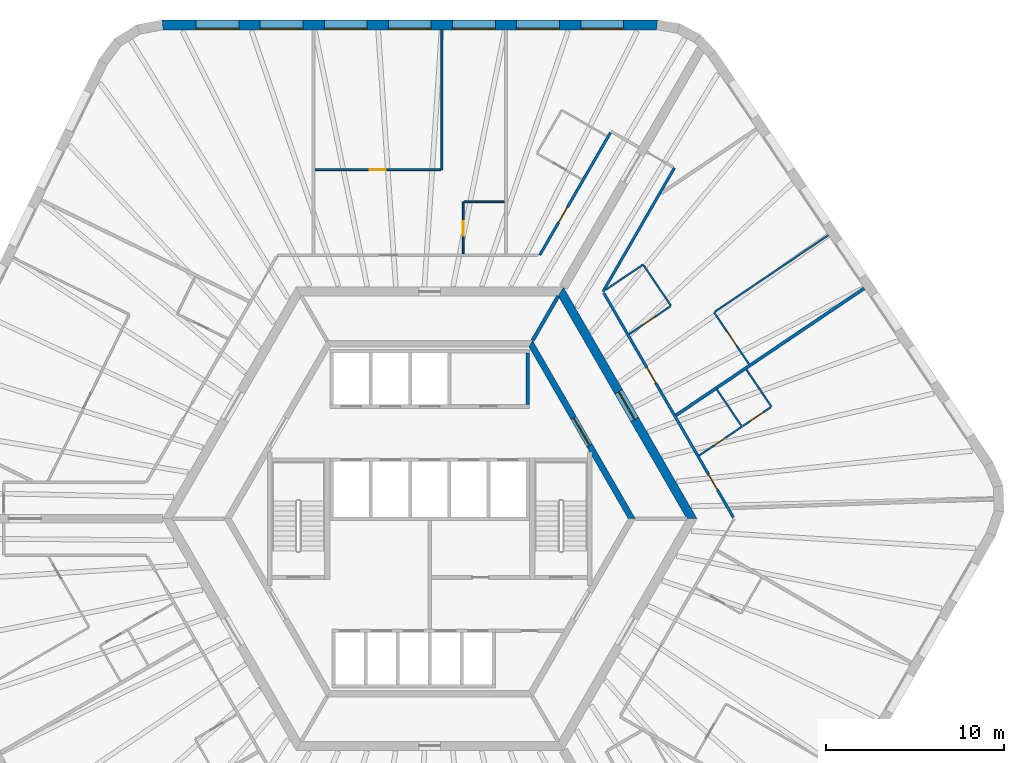
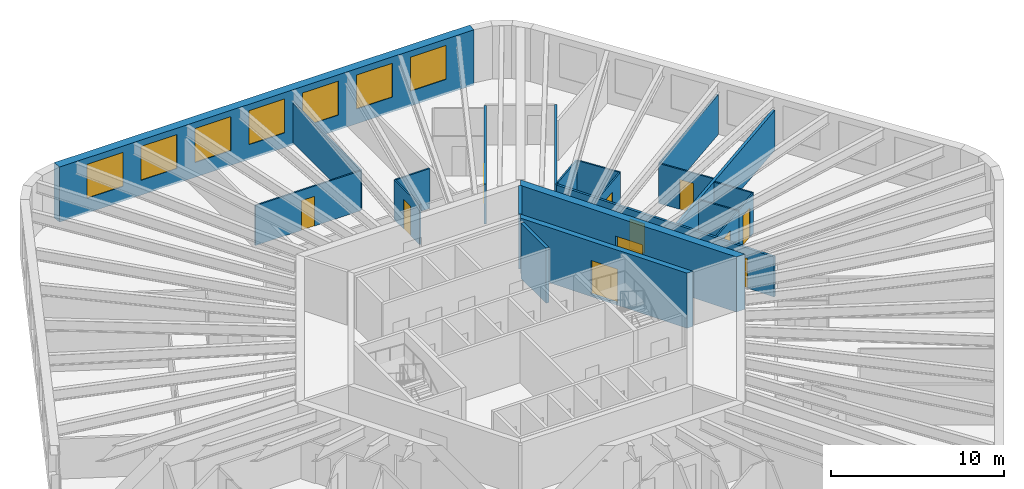
# One storey, part 8 of 10: 22 walls, 11 doors, 7 windows, 18 openings.
"""IFC4 building model written with IfcOpenShell, lengths in metres."""

from ifc_helpers import new_model, si_unit, direction, frame, frame_2d, origin, place, context, subcontext, project, spatial, polyline, rectangle, outline, extrude, material, layer, layer_set, type_object, element, fill, save


model = new_model("IFC4")

# Units and contexts
model_context = context("Model", 3, precision=1e-05, world=origin(), true_north=direction((0.0, 1.0)))
body_context = subcontext(model_context, "Body", "Model", "MODEL_VIEW")
ifc_project = project(units=[si_unit("LENGTHUNIT", "METRE"), si_unit("AREAUNIT", "SQUARE_METRE"), si_unit("VOLUMEUNIT", "CUBIC_METRE"), si_unit("PLANEANGLEUNIT", "RADIAN"), si_unit("MASSUNIT", "GRAM", prefix="KILO")], contexts=[model_context])

# Site, building, storey
site_placement = place(None, origin())
site = spatial("IfcSite", under=ifc_project, at=site_placement, CompositionType="ELEMENT")
building_placement = place(site_placement, origin())
building = spatial("IfcBuilding", under=site, at=building_placement, Name="Tarnside Tower", CompositionType="ELEMENT")
storey_placement = place(building_placement, frame((0.0, 0.0, 156.60009765625)))
storey = spatial("IfcBuildingStorey", under=building, at=storey_placement, Name="L36", CompositionType="ELEMENT", Elevation=156.60009765625)

# Wall, opening, door
ifc_material_1 = material(Name="Gypsum board partition on steel studs", Category="steel")
ifc_layer_1 = layer(ifc_material_1, 0.10009765625)
ifc_layer_set_1 = layer_set([ifc_layer_1], Name="Bathroom wall 100")
wall_type_1 = type_object("IfcWallType", Name="Bathroom wall 100", PredefinedType="PARTITIONING", material=ifc_layer_set_1)
wall_1_placement = place(storey_placement, frame((1.882080078125, 14.875, 0.0), z_axis=(0.0, 0.0, 1.0), x_axis=(0.0, 1.0, 0.0)))
wall_1 = element("IfcWall", 1, at=wall_1_placement, inside=storey, type_object=wall_type_1, Name="Bathroom wall 11053", PredefinedType="PARTITIONING", context=body_context, shape_type="SweptSolid", body=[
    extrude(rectangle(XDim=2.925048828125, YDim=0.10009765625, at=frame_2d((1.46240234375, 0.0))), origin(), (0.0, 0.0, 1.0), 2.8232421875),
])
opening_1_placement = place(wall_1_placement, frame((1.02490234375, 0.0, 0.0)))
opening_1 = element("IfcOpeningElement", 2, at=opening_1_placement, cuts=wall_1, Name="Opening D-B1", PredefinedType="OPENING", context=body_context, shape_type="SweptSolid", body=[
    extrude(rectangle(XDim=0.800048828125, YDim=2.10009765625, at=frame_2d((0.39990234375, 1.050048828125))), frame((0.0, 0.06005859375, 0.0), z_axis=(0.0, -1.0, 0.0), x_axis=(1.0, 0.0, 0.0)), (0.0, 0.0, 1.0), 0.1201171875),
])
ifc_material_2 = material(Name="Timber door leaf", Category="wood")
door_type_1 = type_object("IfcDoorType", Name="Bathroom door 800", OperationType="NOTDEFINED", PredefinedType="DOOR", material=ifc_material_2)
door_1_placement = place(opening_1_placement, origin())
door_1 = element("IfcDoor", 3, at=door_1_placement, inside=storey, type_object=door_type_1, Name="Bathroom door 11004", OperationType="SINGLE_SWING_RIGHT", OverallHeight=2.10009765625, OverallWidth=0.800048828125, PredefinedType="DOOR", context=body_context, shape_type="SweptSolid", body=[
    extrude(rectangle(XDim=0.800048828125, YDim=2.10009765625, at=frame_2d((0.39990234375, 1.050048828125))), frame((0.0, 0.02490234375, 0.0), z_axis=(0.0, -1.0, 0.0), x_axis=(1.0, 0.0, 0.0)), (0.0, 0.0, 1.0), 0.050048828125),
])
fill(opening_1, door_1)

# Wall
wall_2_placement = place(storey_placement, frame((1.93212890625, 17.800048828125, 0.0), z_axis=(0.0, 0.0, 1.0), x_axis=(1.0, 0.0, 0.0)))
element("IfcWall", 4, at=wall_2_placement, inside=storey, type_object=wall_type_1, Name="Bathroom wall 11054", PredefinedType="PARTITIONING", context=body_context, shape_type="SweptSolid", body=[
    extrude(rectangle(XDim=2.260009765625, YDim=0.10009765625, at=frame_2d((1.1298828125, 0.0))), origin(), (0.0, 0.0, 1.0), 2.8232421875),
])

# Wall, opening, door
wall_3_placement = place(storey_placement, frame((17.5302734375, 5.16845703125, 0.0), z_axis=(0.0, 0.0, 1.0), x_axis=(-0.829031257997, -0.559202265073, 0.0)))
wall_3 = element("IfcWall", 5, at=wall_3_placement, inside=storey, type_object=wall_type_1, Name="Bathroom wall 11106", PredefinedType="PARTITIONING", context=body_context, shape_type="SweptSolid", body=[
    extrude(rectangle(XDim=2.89794921875, YDim=0.10009765625, at=frame_2d((1.448974609375, 0.0))), origin(), (0.0, 0.0, 1.0), 2.8232421875),
])
opening_2_placement = place(wall_3_placement, frame((1.10009765625, 0.0, 0.0)))
opening_2 = element("IfcOpeningElement", 6, at=opening_2_placement, cuts=wall_3, Name="Opening D-B1", PredefinedType="OPENING", context=body_context, shape_type="SweptSolid", body=[
    extrude(rectangle(XDim=0.800048828125, YDim=2.10009765625, at=frame_2d((0.39990234375, 1.050048828125))), frame((0.0, 0.06005859375, 0.0), z_axis=(0.0, -1.0, 0.0), x_axis=(1.0, 0.0, 0.0)), (0.0, 0.0, 1.0), 0.1201171875),
])
door_2_placement = place(opening_2_placement, origin())
door_2 = element("IfcDoor", 7, at=door_2_placement, inside=storey, type_object=door_type_1, Name="Bathroom door 11032", OperationType="SINGLE_SWING_LEFT", OverallHeight=2.10009765625, OverallWidth=0.800048828125, PredefinedType="DOOR", context=body_context, shape_type="SweptSolid", body=[
    extrude(rectangle(XDim=0.800048828125, YDim=2.10009765625, at=frame_2d((0.39990234375, 1.050048828125))), frame((0.0, 0.02490234375, 0.0), z_axis=(0.0, -1.0, 0.0), x_axis=(1.0, 0.0, 0.0)), (0.0, 0.0, 1.0), 0.050048828125),
])
fill(opening_2, door_2)

# Walls
wall_4_placement = place(storey_placement, frame((17.50244140625, 5.2099609375, 0.0), z_axis=(0.0, 0.0, 1.0), x_axis=(-0.559203533395, 0.829030402481, 0.0)))
element("IfcWall", 8, at=wall_4_placement, inside=storey, type_object=wall_type_1, Name="Bathroom wall 11111", PredefinedType="PARTITIONING", context=body_context, shape_type="SweptSolid", body=[
    extrude(rectangle(XDim=2.460205078125, YDim=0.10009765625, at=frame_2d((1.22998046875, 0.0))), origin(), (0.0, 0.0, 1.0), 2.8232421875),
])
wall_5_placement = place(storey_placement, frame((9.8701171875, 12.845703125, 0.0), z_axis=(0.0, 0.0, 1.0), x_axis=(0.829045266323, 0.559181496821, 0.0)))
element("IfcWall", 9, at=wall_5_placement, inside=storey, type_object=wall_type_1, Name="Bathroom wall 11114", PredefinedType="PARTITIONING", context=body_context, shape_type="SweptSolid", body=[
    extrude(rectangle(XDim=2.547607421875, YDim=0.10009765625, at=frame_2d((1.27392578125, 0.0))), origin(), (0.0, 0.0, 1.0), 2.8232421875),
])
wall_6_placement = place(storey_placement, frame((12.01025390625, 14.228759765625, 0.0), z_axis=(0.0, 0.0, 1.0), x_axis=(0.559158698756, -0.8290606429, 0.0)))
element("IfcWall", 10, at=wall_6_placement, inside=storey, type_object=wall_type_1, Name="Bathroom wall 11115", PredefinedType="PARTITIONING", context=body_context, shape_type="SweptSolid", body=[
    extrude(rectangle(XDim=2.749755859375, YDim=0.10009765625, at=frame_2d((1.375, 0.0))), origin(), (0.0, 0.0, 1.0), 2.8232421875),
])

# Wall, opening, door
wall_7_placement = place(storey_placement, frame((13.50634765625, 11.9208984375, 0.0), z_axis=(0.0, 0.0, 1.0), x_axis=(-0.829048535811, -0.559176649431, 0.0)))
wall_7 = element("IfcWall", 11, at=wall_7_placement, inside=storey, type_object=wall_type_1, Name="Bathroom wall 11116", PredefinedType="PARTITIONING", context=body_context, shape_type="SweptSolid", body=[
    extrude(rectangle(XDim=2.7890625, YDim=0.10009765625, at=frame_2d((1.39453125, 0.0))), origin(), (0.0, 0.0, 1.0), 2.8232421875),
])
opening_3_placement = place(wall_7_placement, frame((1.050048828125, 0.0, 0.0)))
opening_3 = element("IfcOpeningElement", 12, at=opening_3_placement, cuts=wall_7, Name="Opening D-B1", PredefinedType="OPENING", context=body_context, shape_type="SweptSolid", body=[
    extrude(rectangle(XDim=0.800048828125, YDim=2.10009765625, at=frame_2d((0.39990234375, 1.050048828125))), frame((0.0, 0.06005859375, 0.0), z_axis=(0.0, -1.0, 0.0), x_axis=(1.0, 0.0, 0.0)), (0.0, 0.0, 1.0), 0.1201171875),
])
door_3_placement = place(opening_3_placement, origin())
door_3 = element("IfcDoor", 13, at=door_3_placement, inside=storey, type_object=door_type_1, Name="Bathroom door 11035", OperationType="SINGLE_SWING_LEFT", OverallHeight=2.10009765625, OverallWidth=0.800048828125, PredefinedType="DOOR", context=body_context, shape_type="SweptSolid", body=[
    extrude(rectangle(XDim=0.800048828125, YDim=2.10009765625, at=frame_2d((0.39990234375, 1.050048828125))), frame((0.0, 0.02490234375, 0.0), z_axis=(0.0, -1.0, 0.0), x_axis=(1.0, 0.0, 0.0)), (0.0, 0.0, 1.0), 0.050048828125),
])
fill(opening_3, door_3)

ifc_material_3 = material(Name="Concrete C50/60", Category="concrete")
ifc_layer_2 = layer(ifc_material_3, 0.35009765625)
ifc_layer_set_2 = layer_set([ifc_layer_2], Name="Core block wall 350 C50/60")
wall_type_2 = type_object("IfcWallType", Name="Core block wall 350 C50/60", PredefinedType="SHEAR", material=ifc_layer_set_2)
wall_8_placement = place(storey_placement, frame((11.344970703125, 0.0, -0.150146484375), z_axis=(0.0, 0.0, 1.0), x_axis=(-0.499995046907, 0.866028263435, 0.0)))
wall_8 = element("IfcWall", 14, at=wall_8_placement, inside=storey, type_object=wall_type_2, Name="L36 core block wall face 6", PredefinedType="SHEAR", context=body_context, shape_type="SweptSolid", body=[
    extrude(outline(polyline([(-0.10107421875, -0.175048828125), (11.44580078125, -0.175048828125), (11.24365234375, 0.175048828125), (0.10107421875, 0.175048828125), (-0.10107421875, -0.175048828125)])), origin(), (0.0, 0.0, 1.0), 3.900146484375),
])
opening_4_placement = place(wall_8_placement, frame((4.74365234375, 0.0, 0.14990234375)))
opening_4 = element("IfcOpeningElement", 15, at=opening_4_placement, cuts=wall_8, Name="Opening CD-LOB", PredefinedType="OPENING", context=body_context, shape_type="SweptSolid", body=[
    extrude(rectangle(XDim=1.800048828125, YDim=2.39990234375, at=frame_2d((0.89990234375, 1.199951171875))), frame((0.0, 0.18505859375, 0.0), z_axis=(0.0, -1.0, 0.0), x_axis=(1.0, 0.0, 0.0)), (0.0, 0.0, 1.0), 0.3701171875),
])
ifc_material_4 = material(Name="Steel fire door", Category="steel")
door_type_2 = type_object("IfcDoorType", Name="Lobby double door FD30S 1800x2400", OperationType="NOTDEFINED", PredefinedType="DOOR", material=ifc_material_4)
door_4_placement = place(opening_4_placement, origin())
door_4 = element("IfcDoor", 16, at=door_4_placement, inside=storey, type_object=door_type_2, Name="L36 lobby block door P2", OperationType="DOUBLE_DOOR_SINGLE_SWING", OverallHeight=2.39990234375, OverallWidth=1.800048828125, PredefinedType="DOOR", context=body_context, shape_type="SweptSolid", body=[
    extrude(rectangle(XDim=1.800048828125, YDim=2.39990234375, at=frame_2d((0.89990234375, 1.199951171875))), frame((0.0, 0.02490234375, 0.0), z_axis=(0.0, -1.0, 0.0), x_axis=(1.0, 0.0, 0.0)), (0.0, 0.0, 1.0), 0.050048828125),
])
fill(opening_4, door_4)

ifc_material_5 = material(Name="Concrete C70/85", Category="concrete")
ifc_layer_3 = layer(ifc_material_5, 0.5)
ifc_layer_set_3 = layer_set([ifc_layer_3], Name="Core wall Z2 500 C70/85")
wall_type_3 = type_object("IfcWallType", Name="Core wall Z2 500 C70/85", PredefinedType="SHEAR", material=ifc_layer_set_3)
wall_9_placement = place(storey_placement, frame((14.722412109375, 0.0, -0.150146484375), z_axis=(0.0, 0.0, 1.0), x_axis=(-0.50000571537, 0.866022103989, 0.0)))
wall_9 = element("IfcWall", 17, at=wall_9_placement, inside=storey, type_object=wall_type_3, Name="L36 core wall face 6", PredefinedType="SHEAR", context=body_context, shape_type="SweptSolid", body=[
    extrude(outline(polyline([(-0.144287109375, -0.25), (14.86669921875, -0.25), (14.578125, 0.25), (0.144287109375, 0.25), (-0.144287109375, -0.25)])), origin(), (0.0, 0.0, 1.0), 3.900146484375),
])
opening_5_placement = place(wall_9_placement, frame((6.432373046875, 0.0, 0.14990234375)))
opening_5 = element("IfcOpeningElement", 18, at=opening_5_placement, cuts=wall_9, Name="Opening CD-LOB", PredefinedType="OPENING", context=body_context, shape_type="SweptSolid", body=[
    extrude(rectangle(XDim=1.800048828125, YDim=2.39990234375, at=frame_2d((0.89990234375, 1.199951171875))), frame((0.0, 0.260009765625, 0.0), z_axis=(0.0, -1.0, 0.0), x_axis=(1.0, 0.0, 0.0)), (0.0, 0.0, 1.0), 0.52001953125),
])
door_5_placement = place(opening_5_placement, origin())
door_5 = element("IfcDoor", 19, at=door_5_placement, inside=storey, type_object=door_type_2, Name="L36 core door P2", OperationType="DOUBLE_DOOR_SINGLE_SWING", OverallHeight=2.39990234375, OverallWidth=1.800048828125, PredefinedType="DOOR", context=body_context, shape_type="SweptSolid", body=[
    extrude(rectangle(XDim=1.800048828125, YDim=2.39990234375, at=frame_2d((0.89990234375, 1.199951171875))), frame((0.0, 0.02490234375, 0.0), z_axis=(0.0, -1.0, 0.0), x_axis=(1.0, 0.0, 0.0)), (0.0, 0.0, 1.0), 0.050048828125),
])
fill(opening_5, door_5)

ifc_layer_4 = layer(ifc_material_1, 0.14990234375)
ifc_layer_set_4 = layer_set([ifc_layer_4], Name="Corridor wall 150 EI 60")
wall_type_4 = type_object("IfcWallType", Name="Corridor wall 150 EI 60", PredefinedType="PARTITIONING", material=ifc_layer_set_4)
wall_10_placement = place(storey_placement, frame((10.148681640625, 21.677978515625, 0.0), z_axis=(0.0, 0.0, 1.0), x_axis=(-0.499997422768, -0.866026891745, 0.0)))
wall_10 = element("IfcWall", 20, at=wall_10_placement, inside=storey, type_object=wall_type_4, Name="Corridor wall 11001", PredefinedType="PARTITIONING", context=body_context, shape_type="SweptSolid", body=[
    extrude(rectangle(XDim=7.94189453125, YDim=0.14990234375, at=frame_2d((3.970947265625, 0.0))), origin(), (0.0, 0.0, 1.0), 2.8232421875),
])
opening_6_placement = place(wall_10_placement, frame((4.83349609375, 0.0, 0.0)))
opening_6 = element("IfcOpeningElement", 21, at=opening_6_placement, cuts=wall_10, Name="Opening D-E1", PredefinedType="OPENING", context=body_context, shape_type="SweptSolid", body=[
    extrude(rectangle(XDim=1.0, YDim=2.10009765625, at=frame_2d((0.5, 1.050048828125))), frame((0.0, 0.0849609375, 0.0), z_axis=(0.0, -1.0, 0.0), x_axis=(1.0, 0.0, 0.0)), (0.0, 0.0, 1.0), 0.169921875),
])
door_type_3 = type_object("IfcDoorType", Name="Unit entrance door 1000 FD30S", OperationType="NOTDEFINED", PredefinedType="DOOR", material=ifc_material_2)
door_6_placement = place(opening_6_placement, origin())
door_6 = element("IfcDoor", 22, at=door_6_placement, inside=storey, type_object=door_type_3, Name="Unit door 11001", OperationType="SINGLE_SWING_LEFT", OverallHeight=2.10009765625, OverallWidth=1.0, PredefinedType="DOOR", context=body_context, shape_type="SweptSolid", body=[
    extrude(rectangle(XDim=1.0, YDim=2.10009765625, at=frame_2d((0.5, 1.050048828125))), frame((0.0, 0.02490234375, 0.0), z_axis=(0.0, -1.0, 0.0), x_axis=(1.0, 0.0, 0.0)), (0.0, 0.0, 1.0), 0.050048828125),
])
fill(opening_6, door_6)

# Wall, openings, doors
wall_11_placement = place(storey_placement, frame((17.04638671875, 0.074951171875, 0.0), z_axis=(0.0, 0.0, 1.0), x_axis=(-0.499999403554, 0.866025748143, 0.0)))
wall_11 = element("IfcWall", 23, at=wall_11_placement, inside=storey, type_object=wall_type_4, Name="Corridor wall 11040", PredefinedType="PARTITIONING", context=body_context, shape_type="SweptSolid", body=[
    extrude(rectangle(XDim=14.54931640625, YDim=0.14990234375, at=frame_2d((7.274658203125, 0.0))), origin(), (0.0, 0.0, 1.0), 2.8232421875),
])
opening_7_placement = place(wall_11_placement, frame((1.781494140625, 0.0, 0.0)))
opening_7 = element("IfcOpeningElement", 24, at=opening_7_placement, cuts=wall_11, Name="Opening D-E1", PredefinedType="OPENING", context=body_context, shape_type="SweptSolid", body=[
    extrude(rectangle(XDim=1.0, YDim=2.10009765625, at=frame_2d((0.5, 1.050048828125))), frame((0.0, 0.0849609375, 0.0), z_axis=(0.0, -1.0, 0.0), x_axis=(1.0, 0.0, 0.0)), (0.0, 0.0, 1.0), 0.169921875),
])
opening_8_placement = place(wall_11_placement, frame((8.705322265625, 0.0, 0.0)))
opening_8 = element("IfcOpeningElement", 25, at=opening_8_placement, cuts=wall_11, Name="Opening D-E1", PredefinedType="OPENING", context=body_context, shape_type="SweptSolid", body=[
    extrude(rectangle(XDim=1.0, YDim=2.10009765625, at=frame_2d((0.5, 1.050048828125))), frame((0.0, 0.0849609375, 0.0), z_axis=(0.0, -1.0, 0.0), x_axis=(1.0, 0.0, 0.0)), (0.0, 0.0, 1.0), 0.169921875),
])
door_7_placement = place(opening_7_placement, origin())
door_7 = element("IfcDoor", 26, at=door_7_placement, inside=storey, type_object=door_type_3, Name="Unit door 11031", OperationType="SINGLE_SWING_LEFT", OverallHeight=2.10009765625, OverallWidth=1.0, PredefinedType="DOOR", context=body_context, shape_type="SweptSolid", body=[
    extrude(rectangle(XDim=1.0, YDim=2.10009765625, at=frame_2d((0.5, 1.050048828125))), frame((0.0, 0.02490234375, 0.0), z_axis=(0.0, -1.0, 0.0), x_axis=(1.0, 0.0, 0.0)), (0.0, 0.0, 1.0), 0.050048828125),
])
fill(opening_7, door_7)
door_8_placement = place(opening_8_placement, origin())
door_8 = element("IfcDoor", 27, at=door_8_placement, inside=storey, type_object=door_type_3, Name="Unit door 11034", OperationType="SINGLE_SWING_RIGHT", OverallHeight=2.10009765625, OverallWidth=1.0, PredefinedType="DOOR", context=body_context, shape_type="SweptSolid", body=[
    extrude(rectangle(XDim=1.0, YDim=2.10009765625, at=frame_2d((0.5, 1.050048828125))), frame((0.0, 0.02490234375, 0.0), z_axis=(0.0, -1.0, 0.0), x_axis=(1.0, 0.0, 0.0)), (0.0, 0.0, 1.0), 0.050048828125),
])
fill(opening_8, door_8)

# Walls
wall_12_placement = place(storey_placement, frame((9.728271484375, 12.75, 0.0), z_axis=(0.0, 0.0, 1.0), x_axis=(0.500007149838, 0.866021275784, 0.0)))
element("IfcWall", 28, at=wall_12_placement, inside=storey, type_object=wall_type_4, Name="Corridor wall 11043", PredefinedType="PARTITIONING", context=body_context, shape_type="SweptSolid", body=[
    extrude(rectangle(XDim=8.01708984375, YDim=0.14990234375, at=frame_2d((4.008544921875, 0.0))), origin(), (0.0, 0.0, 1.0), 2.8232421875),
])
ifc_layer_5 = layer(ifc_material_1, 0.179931640625)
ifc_layer_set_5 = layer_set([ifc_layer_5], Name="Demising wall 180 EI 60")
wall_type_5 = type_object("IfcWallType", Name="Demising wall 180 EI 60", PredefinedType="PARTITIONING", material=ifc_layer_set_5)
wall_13_placement = place(storey_placement, frame((24.388916015625, 12.9306640625, 0.0), z_axis=(0.0, 0.0, 1.0), x_axis=(-0.829049407957, -0.559175356365, 0.0)))
element("IfcWall", 29, at=wall_13_placement, inside=storey, type_object=wall_type_5, Name="Demising wall 11109", PredefinedType="PARTITIONING", context=body_context, shape_type="SweptSolid", body=[
    extrude(rectangle(XDim=12.742919921875, YDim=0.179931640625, at=frame_2d((6.37158203125, 0.0))), origin(), (0.0, 0.0, 1.0), 2.8232421875),
])
ifc_material_6 = material(Name="Concrete C40/50", Category="concrete")
ifc_layer_6 = layer(ifc_material_6, 0.199951171875)
ifc_layer_set_6 = layer_set([ifc_layer_6], Name="Lift shaft wall 200 C40/50")
wall_type_6 = type_object("IfcWallType", Name="Lift shaft wall 200 C40/50", PredefinedType="SHEAR", material=ifc_layer_set_6)
wall_14_placement = place(storey_placement, frame((5.5, 6.39990234375, -0.25), z_axis=(0.0, 0.0, 1.0), x_axis=(0.0, 1.0, 0.0)))
element("IfcWall", 30, at=wall_14_placement, inside=storey, type_object=wall_type_6, Name="L36 lift shaft partition R16", PredefinedType="SHEAR", context=body_context, shape_type="SweptSolid", body=[
    extrude(rectangle(XDim=2.900146484375, YDim=0.199951171875, at=frame_2d((1.4501953125, 0.0))), origin(), (0.0, 0.0, 1.0), 3.89990234375),
])
wall_15_placement = place(storey_placement, frame((5.7734375, 10.0, -0.150146484375), z_axis=(0.0, 0.0, 1.0), x_axis=(0.499995765644, 0.866027848477, 0.0)))
element("IfcWall", 31, at=wall_15_placement, inside=storey, type_object=wall_type_6, Name="L36 core partition AR60", PredefinedType="SHEAR", context=body_context, shape_type="SweptSolid", body=[
    extrude(rectangle(XDim=2.88671875, YDim=0.199951171875, at=frame_2d((1.443359375, 0.0))), origin(), (0.0, 0.0, 1.0), 3.900146484375),
])
ifc_layer_7 = layer(ifc_material_1, 0.10009765625)
ifc_layer_set_7 = layer_set([ifc_layer_7], Name="Partition 100")
wall_type_7 = type_object("IfcWallType", Name="Partition 100", PredefinedType="PARTITIONING", material=ifc_layer_set_7)
wall_16_placement = place(storey_placement, frame((0.68212890625, 27.449951171875, 0.0), z_axis=(0.0, 0.0, 1.0), x_axis=(0.0, -1.0, 0.0)))
element("IfcWall", 32, at=wall_16_placement, inside=storey, type_object=wall_type_7, Name="Partition wall 11055", PredefinedType="PARTITIONING", context=body_context, shape_type="SweptSolid", body=[
    extrude(rectangle(XDim=7.849853515625, YDim=0.10009765625, at=frame_2d((3.9248046875, 0.0))), origin(), (0.0, 0.0, 1.0), 2.8232421875),
])

# Wall, opening, door
wall_17_placement = place(storey_placement, frame((0.632080078125, 19.60009765625, 0.0), z_axis=(0.0, 0.0, 1.0), x_axis=(-1.0, 0.0, 0.0)))
wall_17 = element("IfcWall", 33, at=wall_17_placement, inside=storey, type_object=wall_type_7, Name="Partition wall 11056", PredefinedType="PARTITIONING", context=body_context, shape_type="SweptSolid", body=[
    extrude(rectangle(XDim=7.06005859375, YDim=0.10009765625, at=frame_2d((3.530029296875, 0.0))), origin(), (0.0, 0.0, 1.0), 2.8232421875),
])
opening_9_placement = place(wall_17_placement, frame((3.10009765625, 0.0, 0.0)))
opening_9 = element("IfcOpeningElement", 34, at=opening_9_placement, cuts=wall_17, Name="Opening D-I1", PredefinedType="OPENING", context=body_context, shape_type="SweptSolid", body=[
    extrude(rectangle(XDim=0.89990234375, YDim=2.10009765625, at=frame_2d((0.449951171875, 1.050048828125))), frame((0.0, 0.06005859375, 0.0), z_axis=(0.0, -1.0, 0.0), x_axis=(1.0, 0.0, 0.0)), (0.0, 0.0, 1.0), 0.1201171875),
])
door_type_4 = type_object("IfcDoorType", Name="Internal door 900", OperationType="NOTDEFINED", PredefinedType="DOOR", material=ifc_material_2)
door_9_placement = place(opening_9_placement, origin())
door_9 = element("IfcDoor", 35, at=door_9_placement, inside=storey, type_object=door_type_4, Name="Internal door 11005", OperationType="SINGLE_SWING_RIGHT", OverallHeight=2.10009765625, OverallWidth=0.89990234375, PredefinedType="DOOR", context=body_context, shape_type="SweptSolid", body=[
    extrude(rectangle(XDim=0.89990234375, YDim=2.10009765625, at=frame_2d((0.449951171875, 1.050048828125))), frame((0.0, 0.02490234375, 0.0), z_axis=(0.0, -1.0, 0.0), x_axis=(1.0, 0.0, 0.0)), (0.0, 0.0, 1.0), 0.050048828125),
])
fill(opening_9, door_9)

# Wall
wall_18_placement = place(storey_placement, frame((17.784912109375, 8.36767578125, 0.0), z_axis=(0.0, 0.0, 1.0), x_axis=(0.559203861497, -0.829030181168, 0.0)))
element("IfcWall", 36, at=wall_18_placement, inside=storey, type_object=wall_type_7, Name="Partition wall 11107", PredefinedType="PARTITIONING", context=body_context, shape_type="SweptSolid", body=[
    extrude(rectangle(XDim=2.510009765625, YDim=0.10009765625, at=frame_2d((1.2548828125, 0.0))), origin(), (0.0, 0.0, 1.0), 2.8232421875),
])

# Wall, opening, door
wall_19_placement = place(storey_placement, frame((19.14697265625, 6.259033203125, 0.0), z_axis=(0.0, 0.0, 1.0), x_axis=(-0.82903334026, -0.559199178055, 0.0)))
wall_19 = element("IfcWall", 37, at=wall_19_placement, inside=storey, type_object=wall_type_7, Name="Partition wall 11108", PredefinedType="PARTITIONING", context=body_context, shape_type="SweptSolid", body=[
    extrude(rectangle(XDim=1.900146484375, YDim=0.10009765625, at=frame_2d((0.9501953125, 0.0))), origin(), (0.0, 0.0, 1.0), 2.8232421875),
])
opening_10_placement = place(wall_19_placement, frame((0.5, 0.0, 0.0)))
opening_10 = element("IfcOpeningElement", 38, at=opening_10_placement, cuts=wall_19, Name="Opening D-I1", PredefinedType="OPENING", context=body_context, shape_type="SweptSolid", body=[
    extrude(rectangle(XDim=0.89990234375, YDim=2.10009765625, at=frame_2d((0.449951171875, 1.050048828125))), frame((0.0, 0.06005859375, 0.0), z_axis=(0.0, -1.0, 0.0), x_axis=(1.0, 0.0, 0.0)), (0.0, 0.0, 1.0), 0.1201171875),
])
door_10_placement = place(opening_10_placement, origin())
door_10 = element("IfcDoor", 39, at=door_10_placement, inside=storey, type_object=door_type_4, Name="Internal door 11033", OperationType="SINGLE_SWING_RIGHT", OverallHeight=2.10009765625, OverallWidth=0.89990234375, PredefinedType="DOOR", context=body_context, shape_type="SweptSolid", body=[
    extrude(rectangle(XDim=0.89990234375, YDim=2.10009765625, at=frame_2d((0.449951171875, 1.050048828125))), frame((0.0, 0.02490234375, 0.0), z_axis=(0.0, -1.0, 0.0), x_axis=(1.0, 0.0, 0.0)), (0.0, 0.0, 1.0), 0.050048828125),
])
fill(opening_10, door_10)

wall_20_placement = place(storey_placement, frame((17.924560546875, 8.67919921875, 0.0), z_axis=(0.0, 0.0, 1.0), x_axis=(-0.559170576854, 0.829052631611, 0.0)))
wall_20 = element("IfcWall", 40, at=wall_20_placement, inside=storey, type_object=wall_type_7, Name="Partition wall 11117", PredefinedType="PARTITIONING", context=body_context, shape_type="SweptSolid", body=[
    extrude(rectangle(XDim=3.510009765625, YDim=0.10009765625, at=frame_2d((1.7548828125, 0.0))), origin(), (0.0, 0.0, 1.0), 2.8232421875),
])
opening_11_placement = place(wall_20_placement, frame((1.260009765625, 0.0, 0.0)))
opening_11 = element("IfcOpeningElement", 41, at=opening_11_placement, cuts=wall_20, Name="Opening D-I1", PredefinedType="OPENING", context=body_context, shape_type="SweptSolid", body=[
    extrude(rectangle(XDim=0.89990234375, YDim=2.10009765625, at=frame_2d((0.449951171875, 1.050048828125))), frame((0.0, 0.06005859375, 0.0), z_axis=(0.0, -1.0, 0.0), x_axis=(1.0, 0.0, 0.0)), (0.0, 0.0, 1.0), 0.1201171875),
])
door_11_placement = place(opening_11_placement, origin())
door_11 = element("IfcDoor", 42, at=door_11_placement, inside=storey, type_object=door_type_4, Name="Internal door 11036", OperationType="SINGLE_SWING_RIGHT", OverallHeight=2.10009765625, OverallWidth=0.89990234375, PredefinedType="DOOR", context=body_context, shape_type="SweptSolid", body=[
    extrude(rectangle(XDim=0.89990234375, YDim=2.10009765625, at=frame_2d((0.449951171875, 1.050048828125))), frame((0.0, 0.02490234375, 0.0), z_axis=(0.0, -1.0, 0.0), x_axis=(1.0, 0.0, 0.0)), (0.0, 0.0, 1.0), 0.050048828125),
])
fill(opening_11, door_11)

# Wall
wall_21_placement = place(storey_placement, frame((16.003173828125, 11.616943359375, 0.0), z_axis=(0.0, 0.0, 1.0), x_axis=(0.829037886281, 0.559192438352, 0.0)))
element("IfcWall", 43, at=wall_21_placement, inside=storey, type_object=wall_type_7, Name="Partition wall 11118", PredefinedType="PARTITIONING", context=body_context, shape_type="SweptSolid", body=[
    extrude(rectangle(XDim=7.686767578125, YDim=0.10009765625, at=frame_2d((3.84326171875, 0.0))), origin(), (0.0, 0.0, 1.0), 2.8232421875),
])

# Wall, openings, windows
ifc_material_7 = material(Name="Facing brick", Category="masonry")
ifc_layer_8 = layer(ifc_material_7, 0.10205078125)
ifc_material_8 = material(Name="Concrete C60/75 precast", Category="concrete")
ifc_layer_9 = layer(ifc_material_8, 0.347900390625)
ifc_material_9 = material(Name="Mineral wool insulation")
ifc_layer_10 = layer(ifc_material_9, 0.10009765625)
ifc_layer_set_8 = layer_set([ifc_layer_8, ifc_layer_9, ifc_layer_10], Name="Tube wall 550 brick faced")
wall_type_8 = type_object("IfcWallType", Name="Tube wall 550 brick faced", PredefinedType="SOLIDWALL", material=ifc_layer_set_8)
wall_22_placement = place(storey_placement, frame((12.760986328125, 27.72509765625, -0.150146484375), z_axis=(0.0, 0.0, 1.0), x_axis=(-1.0, 0.0, 0.0)))
wall_22 = element("IfcWall", 44, at=wall_22_placement, inside=storey, type_object=wall_type_8, Name="Tube wall L36 F1 flush 00", PredefinedType="SOLIDWALL", context=body_context, shape_type="SweptSolid", body=[
    extrude(outline(polyline([(-0.0224609375, -0.27490234375), (27.783447265625, -0.27490234375), (27.732177734375, 0.27490234375), (0.0224609375, 0.27490234375), (-0.0224609375, -0.27490234375)])), origin(), (0.0, 0.0, 1.0), 3.900146484375),
])
opening_12_placement = place(wall_22_placement, frame((1.87890625, 0.0, 1.050048828125)))
opening_12 = element("IfcOpeningElement", 45, at=opening_12_placement, cuts=wall_22, Name="Opening WH", PredefinedType="OPENING", context=body_context, shape_type="SweptSolid", body=[
    extrude(rectangle(XDim=2.39990234375, YDim=2.39990234375, at=frame_2d((1.199951171875, 1.199951171875))), frame((0.0, 0.28515625, 0.0), z_axis=(0.0, -1.0, 0.0), x_axis=(1.0, 0.0, 0.0)), (0.0, 0.0, 1.0), 0.570068359375),
])
opening_13_placement = place(wall_22_placement, frame((5.47900390625, 0.0, 1.050048828125)))
opening_13 = element("IfcOpeningElement", 46, at=opening_13_placement, cuts=wall_22, Name="Opening WH", PredefinedType="OPENING", context=body_context, shape_type="SweptSolid", body=[
    extrude(rectangle(XDim=2.39990234375, YDim=2.39990234375, at=frame_2d((1.199951171875, 1.199951171875))), frame((0.0, 0.28515625, 0.0), z_axis=(0.0, -1.0, 0.0), x_axis=(1.0, 0.0, 0.0)), (0.0, 0.0, 1.0), 0.570068359375),
])
opening_14_placement = place(wall_22_placement, frame((9.078857421875, 0.0, 1.050048828125)))
opening_14 = element("IfcOpeningElement", 47, at=opening_14_placement, cuts=wall_22, Name="Opening WH", PredefinedType="OPENING", context=body_context, shape_type="SweptSolid", body=[
    extrude(rectangle(XDim=2.39990234375, YDim=2.39990234375, at=frame_2d((1.199951171875, 1.199951171875))), frame((0.0, 0.28515625, 0.0), z_axis=(0.0, -1.0, 0.0), x_axis=(1.0, 0.0, 0.0)), (0.0, 0.0, 1.0), 0.570068359375),
])
opening_15_placement = place(wall_22_placement, frame((12.678955078125, 0.0, 1.050048828125)))
opening_15 = element("IfcOpeningElement", 48, at=opening_15_placement, cuts=wall_22, Name="Opening WH", PredefinedType="OPENING", context=body_context, shape_type="SweptSolid", body=[
    extrude(rectangle(XDim=2.39990234375, YDim=2.39990234375, at=frame_2d((1.199951171875, 1.199951171875))), frame((0.0, 0.28515625, 0.0), z_axis=(0.0, -1.0, 0.0), x_axis=(1.0, 0.0, 0.0)), (0.0, 0.0, 1.0), 0.570068359375),
])
opening_16_placement = place(wall_22_placement, frame((16.27880859375, 0.0, 1.050048828125)))
opening_16 = element("IfcOpeningElement", 49, at=opening_16_placement, cuts=wall_22, Name="Opening WH", PredefinedType="OPENING", context=body_context, shape_type="SweptSolid", body=[
    extrude(rectangle(XDim=2.39990234375, YDim=2.39990234375, at=frame_2d((1.199951171875, 1.199951171875))), frame((0.0, 0.28515625, 0.0), z_axis=(0.0, -1.0, 0.0), x_axis=(1.0, 0.0, 0.0)), (0.0, 0.0, 1.0), 0.570068359375),
])
opening_17_placement = place(wall_22_placement, frame((19.87890625, 0.0, 1.050048828125)))
opening_17 = element("IfcOpeningElement", 50, at=opening_17_placement, cuts=wall_22, Name="Opening WH", PredefinedType="OPENING", context=body_context, shape_type="SweptSolid", body=[
    extrude(rectangle(XDim=2.39990234375, YDim=2.39990234375, at=frame_2d((1.199951171875, 1.199951171875))), frame((0.0, 0.28515625, 0.0), z_axis=(0.0, -1.0, 0.0), x_axis=(1.0, 0.0, 0.0)), (0.0, 0.0, 1.0), 0.570068359375),
])
opening_18_placement = place(wall_22_placement, frame((23.47900390625, 0.0, 1.050048828125)))
opening_18 = element("IfcOpeningElement", 51, at=opening_18_placement, cuts=wall_22, Name="Opening WH", PredefinedType="OPENING", context=body_context, shape_type="SweptSolid", body=[
    extrude(rectangle(XDim=2.39990234375, YDim=2.39990234375, at=frame_2d((1.199951171875, 1.199951171875))), frame((0.0, 0.28515625, 0.0), z_axis=(0.0, -1.0, 0.0), x_axis=(1.0, 0.0, 0.0)), (0.0, 0.0, 1.0), 0.570068359375),
])
ifc_material_10 = material(Name="Aluminium-framed double glazing", Category="aluminium")
window_type = type_object("IfcWindowType", Name="Hotel window 2400 x 2400", PartitioningType="DOUBLE_PANEL_VERTICAL", PredefinedType="WINDOW", material=ifc_material_10)
window_1_placement = place(opening_12_placement, frame((0.0, 0.205078125, 0.0)))
window_1 = element("IfcWindow", 52, at=window_1_placement, inside=storey, type_object=window_type, Name="E.WN.L36.F1.00", OverallHeight=2.39990234375, OverallWidth=2.39990234375, PartitioningType="DOUBLE_PANEL_VERTICAL", PredefinedType="WINDOW", context=body_context, shape_type="SweptSolid", body=[
    extrude(rectangle(XDim=2.39990234375, YDim=2.39990234375, at=frame_2d((1.199951171875, 1.199951171875))), frame((0.0, 0.030029296875, 0.0), z_axis=(0.0, -1.0, 0.0), x_axis=(1.0, 0.0, 0.0)), (0.0, 0.0, 1.0), 0.06005859375),
])
fill(opening_12, window_1)
window_2_placement = place(opening_13_placement, frame((0.0, 0.205078125, 0.0)))
window_2 = element("IfcWindow", 53, at=window_2_placement, inside=storey, type_object=window_type, Name="E.WN.L36.F1.01", OverallHeight=2.39990234375, OverallWidth=2.39990234375, PartitioningType="DOUBLE_PANEL_VERTICAL", PredefinedType="WINDOW", context=body_context, shape_type="SweptSolid", body=[
    extrude(rectangle(XDim=2.39990234375, YDim=2.39990234375, at=frame_2d((1.199951171875, 1.199951171875))), frame((0.0, 0.030029296875, 0.0), z_axis=(0.0, -1.0, 0.0), x_axis=(1.0, 0.0, 0.0)), (0.0, 0.0, 1.0), 0.06005859375),
])
fill(opening_13, window_2)
window_3_placement = place(opening_14_placement, frame((0.0, 0.205078125, 0.0)))
window_3 = element("IfcWindow", 54, at=window_3_placement, inside=storey, type_object=window_type, Name="E.WN.L36.F1.02", OverallHeight=2.39990234375, OverallWidth=2.39990234375, PartitioningType="DOUBLE_PANEL_VERTICAL", PredefinedType="WINDOW", context=body_context, shape_type="SweptSolid", body=[
    extrude(rectangle(XDim=2.39990234375, YDim=2.39990234375, at=frame_2d((1.199951171875, 1.199951171875))), frame((0.0, 0.030029296875, 0.0), z_axis=(0.0, -1.0, 0.0), x_axis=(1.0, 0.0, 0.0)), (0.0, 0.0, 1.0), 0.06005859375),
])
fill(opening_14, window_3)
window_4_placement = place(opening_15_placement, frame((0.0, 0.205078125, 0.0)))
window_4 = element("IfcWindow", 55, at=window_4_placement, inside=storey, type_object=window_type, Name="E.WN.L36.F1.03", OverallHeight=2.39990234375, OverallWidth=2.39990234375, PartitioningType="DOUBLE_PANEL_VERTICAL", PredefinedType="WINDOW", context=body_context, shape_type="SweptSolid", body=[
    extrude(rectangle(XDim=2.39990234375, YDim=2.39990234375, at=frame_2d((1.199951171875, 1.199951171875))), frame((0.0, 0.030029296875, 0.0), z_axis=(0.0, -1.0, 0.0), x_axis=(1.0, 0.0, 0.0)), (0.0, 0.0, 1.0), 0.06005859375),
])
fill(opening_15, window_4)
window_5_placement = place(opening_16_placement, frame((0.0, 0.205078125, 0.0)))
window_5 = element("IfcWindow", 56, at=window_5_placement, inside=storey, type_object=window_type, Name="E.WN.L36.F1.04", OverallHeight=2.39990234375, OverallWidth=2.39990234375, PartitioningType="DOUBLE_PANEL_VERTICAL", PredefinedType="WINDOW", context=body_context, shape_type="SweptSolid", body=[
    extrude(rectangle(XDim=2.39990234375, YDim=2.39990234375, at=frame_2d((1.199951171875, 1.199951171875))), frame((0.0, 0.030029296875, 0.0), z_axis=(0.0, -1.0, 0.0), x_axis=(1.0, 0.0, 0.0)), (0.0, 0.0, 1.0), 0.06005859375),
])
fill(opening_16, window_5)
window_6_placement = place(opening_17_placement, frame((0.0, 0.205078125, 0.0)))
window_6 = element("IfcWindow", 57, at=window_6_placement, inside=storey, type_object=window_type, Name="E.WN.L36.F1.05", OverallHeight=2.39990234375, OverallWidth=2.39990234375, PartitioningType="DOUBLE_PANEL_VERTICAL", PredefinedType="WINDOW", context=body_context, shape_type="SweptSolid", body=[
    extrude(rectangle(XDim=2.39990234375, YDim=2.39990234375, at=frame_2d((1.199951171875, 1.199951171875))), frame((0.0, 0.030029296875, 0.0), z_axis=(0.0, -1.0, 0.0), x_axis=(1.0, 0.0, 0.0)), (0.0, 0.0, 1.0), 0.06005859375),
])
fill(opening_17, window_6)
window_7_placement = place(opening_18_placement, frame((0.0, 0.205078125, 0.0)))
window_7 = element("IfcWindow", 58, at=window_7_placement, inside=storey, type_object=window_type, Name="E.WN.L36.F1.06", OverallHeight=2.39990234375, OverallWidth=2.39990234375, PartitioningType="DOUBLE_PANEL_VERTICAL", PredefinedType="WINDOW", context=body_context, shape_type="SweptSolid", body=[
    extrude(rectangle(XDim=2.39990234375, YDim=2.39990234375, at=frame_2d((1.199951171875, 1.199951171875))), frame((0.0, 0.030029296875, 0.0), z_axis=(0.0, -1.0, 0.0), x_axis=(1.0, 0.0, 0.0)), (0.0, 0.0, 1.0), 0.06005859375),
])
fill(opening_18, window_7)

save(model, "model.ifc")
